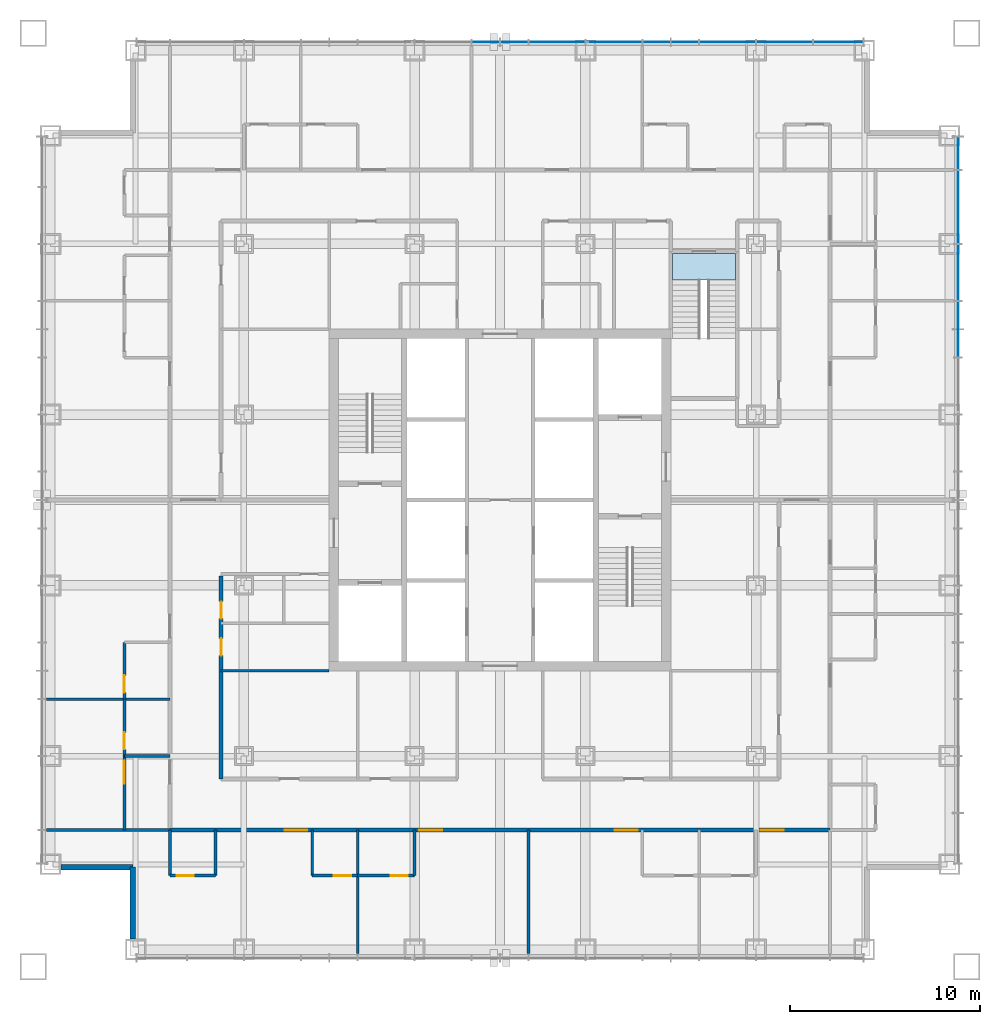
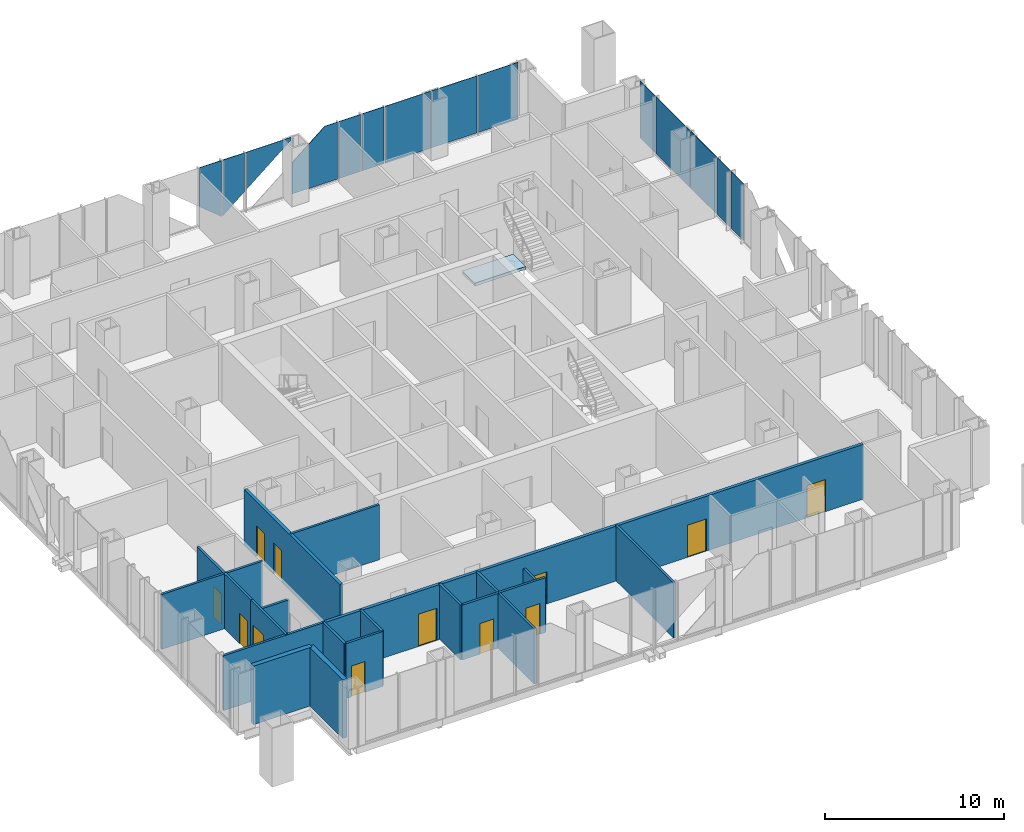
# One storey, part 8 of 17: 20 walls, 14 plates, 12 doors, 1 slab, 12 openings, 3 elements without a shape of their own.
"""IFC4 building model written with IfcOpenShell, lengths in metres."""

from ifc_helpers import new_model, si_unit, direction, frame, frame_2d, origin, origin_2d, place, context, subcontext, project, spatial, polyline, rectangle, outline, extrude, material, layer, layer_set, type_object, element, fill, aggregate, save


model = new_model("IFC4")

# Units and contexts
model_context = context("Model", 3, precision=1e-05, world=origin(), true_north=direction((0.0, 1.0)))
body_context = subcontext(model_context, "Body", "Model", "MODEL_VIEW")
ifc_project = project(units=[si_unit("LENGTHUNIT", "METRE"), si_unit("AREAUNIT", "SQUARE_METRE"), si_unit("VOLUMEUNIT", "CUBIC_METRE"), si_unit("PLANEANGLEUNIT", "RADIAN"), si_unit("MASSUNIT", "GRAM", prefix="KILO")], contexts=[model_context])

# Site, building, storey
site_placement = place(None, origin())
site = spatial("IfcSite", under=ifc_project, at=site_placement, CompositionType="ELEMENT")
building_placement = place(site_placement, origin())
building = spatial("IfcBuilding", under=site, at=building_placement, Name="Malebo Sky Hospital", CompositionType="ELEMENT")
storey_placement = place(building_placement, frame((0.0, 0.0, 120.0)))
storey = spatial("IfcBuildingStorey", under=building, at=storey_placement, Name="L28", CompositionType="ELEMENT", Elevation=120.0)

# Stair, slab
ifc_material_1 = material(Name="Concrete C40/50", Category="concrete")
stair_type = type_object("IfcStairType", Name="HALF-TURN STAIR 1400 R167", PredefinedType="HALF_TURN_STAIR", material=ifc_material_1)
stair_placement = place(storey_placement, origin())
stair = element("IfcStair", 1, at=stair_placement, inside=storey, type_object=stair_type, Name="Stair S3 L28 type ST1B", PredefinedType="HALF_TURN_STAIR")
ifc_layer_1 = layer(ifc_material_1, 0.199951171875)
ifc_layer_set_1 = layer_set([ifc_layer_1], Name="STAIR LANDING 200")
slab_type = type_object("IfcSlabType", Name="STAIR LANDING 200", PredefinedType="LANDING", material=ifc_layer_set_1)
slab_placement = place(storey_placement, frame((0.0, 0.0, -0.199951171875)))
slab = element("IfcSlab", 2, at=slab_placement, type_object=slab_type, Name="S3 landing 1", PredefinedType="LANDING", context=body_context, shape_type="SweptSolid", body=[
    extrude(outline(polyline([(69.10009765625, 73.60009765625), (72.39990234375, 73.60009765625), (72.39990234375, 75.0), (69.10009765625, 75.0), (69.10009765625, 73.60009765625)])), origin(), (0.0, 0.0, 1.0), 0.199951171875),
])
aggregate(stair, [slab])

# Curtain wall, plates
ifc_material_2 = material(Name="Anodised aluminium, natural silver", Category="aluminium")
ifc_layer_2 = layer(ifc_material_2, 0.25)
ifc_layer_set_2 = layer_set([ifc_layer_2], Name="WARD CURTAIN WALL NORTH AND SOUTH")
curtain_wall_type_1 = type_object("IfcCurtainWallType", Name="WARD CURTAIN WALL NORTH AND SOUTH", PredefinedType="NOTDEFINED", material=ifc_layer_set_2)
curtain_wall_1_placement = place(storey_placement, origin())
curtain_wall_1 = element("IfcCurtainWall", 3, at=curtain_wall_1_placement, inside=storey, type_object=curtain_wall_type_1, Name="NS curtain wall N", PredefinedType="NOTDEFINED")
ifc_material_3 = material(Name="Clear low-iron double glazing", Category="glass")
ifc_layer_3 = layer(ifc_material_3, 0.031982421875)
ifc_layer_set_3 = layer_set([ifc_layer_3], Name="VISION PANEL CLEAR 32")
plate_type = type_object("IfcPlateType", Name="VISION PANEL CLEAR 32", PredefinedType="CURTAIN_PANEL", material=ifc_layer_set_3)
plate_1_placement = place(storey_placement, frame((59.25, 86.135009765625, 0.16650390625), z_axis=(0.0, 0.0, 1.0), x_axis=(1.0, 0.0, 0.0)))
plate_1 = element("IfcPlate", 4, at=plate_1_placement, type_object=plate_type, Name="Panel 8", PredefinedType="CURTAIN_PANEL", context=body_context, shape_type="SweptSolid", body=[
    extrude(outline(polyline([(0.71240234375, 0.0), (0.71240234375, 3.823486328125), (-0.71240234375, 3.823486328125), (-0.71240234375, 1.174560546875), (0.71240234375, 0.0)])), frame((0.0, 0.01611328125, 0.0), z_axis=(0.0, -1.0, 0.0), x_axis=(1.0, 0.0, 0.0)), (0.0, 0.0, 1.0), 0.031982421875),
])
plate_2_placement = place(storey_placement, frame((60.75, 86.135009765625, 0.16650390625), z_axis=(0.0, 0.0, 1.0), x_axis=(1.0, 0.0, 0.0)))
plate_2 = element("IfcPlate", 5, at=plate_2_placement, type_object=plate_type, Name="Panel 9", PredefinedType="CURTAIN_PANEL", context=body_context, shape_type="SweptSolid", body=[
    extrude(outline(polyline([(-0.71240234375, 0.0), (0.71240234375, 1.174560546875), (0.71240234375, 3.823486328125), (-0.71240234375, 3.823486328125), (-0.71240234375, 0.0)])), frame((0.0, 0.01611328125, 0.0), z_axis=(0.0, -1.0, 0.0), x_axis=(1.0, 0.0, 0.0)), (0.0, 0.0, 1.0), 0.031982421875),
])
plate_3_placement = place(storey_placement, frame((63.0, 86.135009765625, 1.40283203125), z_axis=(0.0, 0.0, 1.0), x_axis=(1.0, 0.0, 0.0)))
plate_3 = element("IfcPlate", 6, at=plate_3_placement, type_object=plate_type, Name="Panel 10", PredefinedType="CURTAIN_PANEL", context=body_context, shape_type="SweptSolid", body=[
    extrude(outline(polyline([(-1.46240234375, 0.0), (1.46240234375, 2.410888671875), (1.46240234375, 2.587158203125), (-1.46240234375, 2.587158203125), (-1.46240234375, 0.0)])), frame((0.0, 0.01611328125, 0.0), z_axis=(0.0, -1.0, 0.0), x_axis=(1.0, 0.0, 0.0)), (0.0, 0.0, 1.0), 0.031982421875),
])
plate_4_placement = place(storey_placement, frame((66.0, 86.135009765625, 0.10009765625), z_axis=(0.0, 0.0, 1.0), x_axis=(1.0, 0.0, 0.0)))
plate_4 = element("IfcPlate", 7, at=plate_4_placement, type_object=plate_type, Name="Panel 11", PredefinedType="CURTAIN_PANEL", context=body_context, shape_type="SweptSolid", body=[
    extrude(outline(polyline([(-1.46240234375, 0.0), (1.46240234375, 0.0), (1.46240234375, 3.889892578125), (0.6435546875, 3.889892578125), (-1.46240234375, 2.154296875), (-1.46240234375, 0.0)])), frame((0.0, 0.01611328125, 0.0), z_axis=(0.0, -1.0, 0.0), x_axis=(1.0, 0.0, 0.0)), (0.0, 0.0, 1.0), 0.031982421875),
])
plate_5_placement = place(storey_placement, frame((68.25, 86.135009765625, 0.10009765625), z_axis=(0.0, 0.0, 1.0), x_axis=(1.0, 0.0, 0.0)))
plate_5 = element("IfcPlate", 8, at=plate_5_placement, type_object=plate_type, Name="Panel 12", PredefinedType="CURTAIN_PANEL", context=body_context, shape_type="SweptSolid", body=[
    extrude(rectangle(XDim=1.425048828125, YDim=0.031982421875, at=origin_2d()), origin(), (0.0, 0.0, 1.0), 3.889892578125),
])
plate_6_placement = place(storey_placement, frame((69.75, 86.135009765625, 0.10009765625), z_axis=(0.0, 0.0, 1.0), x_axis=(1.0, 0.0, 0.0)))
plate_6 = element("IfcPlate", 9, at=plate_6_placement, type_object=plate_type, Name="Panel 13", PredefinedType="CURTAIN_PANEL", context=body_context, shape_type="SweptSolid", body=[
    extrude(rectangle(XDim=1.425048828125, YDim=0.031982421875, at=origin_2d()), origin(), (0.0, 0.0, 1.0), 3.889892578125),
])
plate_7_placement = place(storey_placement, frame((72.0, 86.135009765625, 0.10009765625), z_axis=(0.0, 0.0, 1.0), x_axis=(1.0, 0.0, 0.0)))
plate_7 = element("IfcPlate", 10, at=plate_7_placement, type_object=plate_type, Name="Panel 14", PredefinedType="CURTAIN_PANEL", context=body_context, shape_type="SweptSolid", body=[
    extrude(rectangle(XDim=2.925048828125, YDim=0.031982421875, at=origin_2d()), origin(), (0.0, 0.0, 1.0), 3.889892578125),
])
plate_8_placement = place(storey_placement, frame((75.0, 86.135009765625, 0.10009765625), z_axis=(0.0, 0.0, 1.0), x_axis=(1.0, 0.0, 0.0)))
plate_8 = element("IfcPlate", 11, at=plate_8_placement, type_object=plate_type, Name="Panel 15", PredefinedType="CURTAIN_PANEL", context=body_context, shape_type="SweptSolid", body=[
    extrude(rectangle(XDim=2.925048828125, YDim=0.031982421875, at=origin_2d()), origin(), (0.0, 0.0, 1.0), 3.889892578125),
])
plate_9_placement = place(storey_placement, frame((77.831298828125, 86.135009765625, 0.10009765625), z_axis=(0.0, 0.0, 1.0), x_axis=(1.0, 0.0, 0.0)))
plate_9 = element("IfcPlate", 12, at=plate_9_placement, type_object=plate_type, Name="Panel 16", PredefinedType="CURTAIN_PANEL", context=body_context, shape_type="SweptSolid", body=[
    extrude(rectangle(XDim=2.58740234375, YDim=0.031982421875, at=origin_2d()), origin(), (0.0, 0.0, 1.0), 3.889892578125),
])
aggregate(curtain_wall_1, [plate_1, plate_2, plate_3, plate_4, plate_5, plate_6, plate_7, plate_8, plate_9])

ifc_layer_4 = layer(ifc_material_2, 0.25)
ifc_layer_set_4 = layer_set([ifc_layer_4], Name="WARD CURTAIN WALL EAST AND WEST")
curtain_wall_type_2 = type_object("IfcCurtainWallType", Name="WARD CURTAIN WALL EAST AND WEST", PredefinedType="NOTDEFINED", material=ifc_layer_set_4)
curtain_wall_2_placement = place(storey_placement, origin())
curtain_wall_2 = element("IfcCurtainWall", 13, at=curtain_wall_2_placement, inside=storey, type_object=curtain_wall_type_2, Name="EW curtain wall E", PredefinedType="NOTDEFINED")
plate_10_placement = place(storey_placement, frame((84.135009765625, 80.28125, 0.10009765625), z_axis=(0.0, 0.0, 1.0), x_axis=(0.0, -1.0, 0.0)))
plate_10 = element("IfcPlate", 14, at=plate_10_placement, type_object=plate_type, Name="Panel 1", PredefinedType="CURTAIN_PANEL", context=body_context, shape_type="SweptSolid", body=[
    extrude(rectangle(XDim=1.6875, YDim=0.031982421875, at=origin_2d()), origin(), (0.0, 0.0, 1.0), 3.889892578125),
])
plate_11_placement = place(storey_placement, frame((84.135009765625, 77.449951171875, 0.10009765625), z_axis=(0.0, 0.0, 1.0), x_axis=(0.0, -1.0, 0.0)))
plate_11 = element("IfcPlate", 15, at=plate_11_placement, type_object=plate_type, Name="Panel 2", PredefinedType="CURTAIN_PANEL", context=body_context, shape_type="SweptSolid", body=[
    extrude(rectangle(XDim=3.824951171875, YDim=0.031982421875, at=origin_2d()), origin(), (0.0, 0.0, 1.0), 3.889892578125),
])
plate_12_placement = place(storey_placement, frame((84.135009765625, 74.0, 0.10009765625), z_axis=(0.0, 0.0, 1.0), x_axis=(0.0, -1.0, 0.0)))
plate_12 = element("IfcPlate", 16, at=plate_12_placement, type_object=plate_type, Name="Panel 3", PredefinedType="CURTAIN_PANEL", context=body_context, shape_type="SweptSolid", body=[
    extrude(rectangle(XDim=2.925048828125, YDim=0.031982421875, at=origin_2d()), origin(), (0.0, 0.0, 1.0), 3.889892578125),
])
plate_13_placement = place(storey_placement, frame((84.135009765625, 71.75, 0.10009765625), z_axis=(0.0, 0.0, 1.0), x_axis=(0.0, -1.0, 0.0)))
plate_13 = element("IfcPlate", 17, at=plate_13_placement, type_object=plate_type, Name="Panel 4", PredefinedType="CURTAIN_PANEL", context=body_context, shape_type="SweptSolid", body=[
    extrude(rectangle(XDim=1.425048828125, YDim=0.031982421875, at=origin_2d()), origin(), (0.0, 0.0, 1.0), 3.889892578125),
])
plate_14_placement = place(storey_placement, frame((84.135009765625, 70.25, 0.10009765625), z_axis=(0.0, 0.0, 1.0), x_axis=(0.0, -1.0, 0.0)))
plate_14 = element("IfcPlate", 18, at=plate_14_placement, type_object=plate_type, Name="Panel 5", PredefinedType="CURTAIN_PANEL", context=body_context, shape_type="SweptSolid", body=[
    extrude(rectangle(XDim=1.425048828125, YDim=0.031982421875, at=origin_2d()), origin(), (0.0, 0.0, 1.0), 3.889892578125),
])
aggregate(curtain_wall_2, [plate_10, plate_11, plate_12, plate_13, plate_14])

# Wall, openings, doors
ifc_material_4 = material(Name="Gypsum board on steel studs", Category="steel")
ifc_layer_5 = layer(ifc_material_4, 0.199951171875)
ifc_layer_set_5 = layer_set([ifc_layer_5], Name="CORRIDOR WALL 200")
wall_type_1 = type_object("IfcWallType", Name="CORRIDOR WALL 200", PredefinedType="PARTITIONING", material=ifc_layer_set_5)
wall_1_placement = place(storey_placement, frame((45.300048828125, 47.300048828125, 0.0), z_axis=(0.0, 0.0, 1.0), x_axis=(0.0, 1.0, 0.0)))
wall_1 = element("IfcWall", 19, at=wall_1_placement, inside=storey, type_object=wall_type_1, Name="Corridor Wall 200 WCI1", PredefinedType="PARTITIONING", context=body_context, shape_type="SweptSolid", body=[
    extrude(rectangle(XDim=10.699951171875, YDim=0.199951171875, at=frame_2d((5.35009765625, 0.0))), origin(), (0.0, 0.0, 1.0), 3.75),
])
opening_1_placement = place(wall_1_placement, frame((6.5, 0.0, 0.0)))
opening_1 = element("IfcOpeningElement", 20, at=opening_1_placement, cuts=wall_1, Name="Opening D04", PredefinedType="OPENING", context=body_context, shape_type="SweptSolid", body=[
    extrude(rectangle(XDim=0.89990234375, YDim=2.10009765625, at=frame_2d((0.449951171875, 1.050048828125))), frame((0.0, 0.10986328125, 0.0), z_axis=(0.0, -1.0, 0.0), x_axis=(1.0, 0.0, 0.0)), (0.0, 0.0, 1.0), 0.219970703125),
])
opening_2_placement = place(wall_1_placement, frame((8.449951171875, 0.0, 0.0)))
opening_2 = element("IfcOpeningElement", 21, at=opening_2_placement, cuts=wall_1, Name="Opening D04", PredefinedType="OPENING", context=body_context, shape_type="SweptSolid", body=[
    extrude(rectangle(XDim=0.89990234375, YDim=2.10009765625, at=frame_2d((0.449951171875, 1.050048828125))), frame((0.0, 0.10986328125, 0.0), z_axis=(0.0, -1.0, 0.0), x_axis=(1.0, 0.0, 0.0)), (0.0, 0.0, 1.0), 0.219970703125),
])
ifc_material_5 = material(Name="Hardwood-faced door leaf in steel frame", Category="steel")
door_type_1 = type_object("IfcDoorType", Name="ROOM DOOR 900", OperationType="SINGLE_SWING_LEFT", PredefinedType="DOOR", material=ifc_material_5)
door_1_placement = place(opening_1_placement, origin())
door_1 = element("IfcDoor", 22, at=door_1_placement, inside=storey, type_object=door_type_1, Name="Dirty utility room door", OperationType="SINGLE_SWING_LEFT", OverallHeight=2.10009765625, OverallWidth=0.89990234375, PredefinedType="DOOR", context=body_context, shape_type="SweptSolid", body=[
    extrude(rectangle(XDim=0.89990234375, YDim=2.10009765625, at=frame_2d((0.449951171875, 1.050048828125))), frame((0.0, 0.02490234375, 0.0), z_axis=(0.0, -1.0, 0.0), x_axis=(1.0, 0.0, 0.0)), (0.0, 0.0, 1.0), 0.050048828125),
])
fill(opening_1, door_1)
door_2_placement = place(opening_2_placement, origin())
door_2 = element("IfcDoor", 23, at=door_2_placement, inside=storey, type_object=door_type_1, Name="Linen store door", OperationType="SINGLE_SWING_LEFT", OverallHeight=2.10009765625, OverallWidth=0.89990234375, PredefinedType="DOOR", context=body_context, shape_type="SweptSolid", body=[
    extrude(rectangle(XDim=0.89990234375, YDim=2.10009765625, at=frame_2d((0.449951171875, 1.050048828125))), frame((0.0, 0.02490234375, 0.0), z_axis=(0.0, -1.0, 0.0), x_axis=(1.0, 0.0, 0.0)), (0.0, 0.0, 1.0), 0.050048828125),
])
fill(opening_2, door_2)

wall_2_placement = place(storey_placement, frame((77.39990234375, 44.60009765625, 0.0), z_axis=(0.0, 0.0, 1.0), x_axis=(-1.0, 0.0, 0.0)))
wall_2 = element("IfcWall", 24, at=wall_2_placement, inside=storey, type_object=wall_type_1, Name="Corridor Wall 200 SCO", PredefinedType="PARTITIONING", context=body_context, shape_type="SweptSolid", body=[
    extrude(rectangle(XDim=34.7998046875, YDim=0.199951171875, at=frame_2d((17.39990234375, 0.0))), origin(), (0.0, 0.0, 1.0), 3.75),
])
opening_3_placement = place(wall_2_placement, frame((2.449951171875, 0.0, 0.0)))
opening_3 = element("IfcOpeningElement", 25, at=opening_3_placement, cuts=wall_2, Name="Opening D01", PredefinedType="OPENING", context=body_context, shape_type="SweptSolid", body=[
    extrude(rectangle(XDim=1.199951171875, YDim=2.199951171875, at=frame_2d((0.60009765625, 1.10009765625))), frame((0.0, 0.10986328125, 0.0), z_axis=(0.0, -1.0, 0.0), x_axis=(1.0, 0.0, 0.0)), (0.0, 0.0, 1.0), 0.219970703125),
])
opening_4_placement = place(wall_2_placement, frame((10.14990234375, 0.0, 0.0)))
opening_4 = element("IfcOpeningElement", 26, at=opening_4_placement, cuts=wall_2, Name="Opening D01", PredefinedType="OPENING", context=body_context, shape_type="SweptSolid", body=[
    extrude(rectangle(XDim=1.199951171875, YDim=2.199951171875, at=frame_2d((0.60009765625, 1.10009765625))), frame((0.0, 0.10986328125, 0.0), z_axis=(0.0, -1.0, 0.0), x_axis=(1.0, 0.0, 0.0)), (0.0, 0.0, 1.0), 0.219970703125),
])
opening_5_placement = place(wall_2_placement, frame((20.449951171875, 0.0, 0.0)))
opening_5 = element("IfcOpeningElement", 27, at=opening_5_placement, cuts=wall_2, Name="Opening D01", PredefinedType="OPENING", context=body_context, shape_type="SweptSolid", body=[
    extrude(rectangle(XDim=1.199951171875, YDim=2.199951171875, at=frame_2d((0.60009765625, 1.10009765625))), frame((0.0, 0.10986328125, 0.0), z_axis=(0.0, -1.0, 0.0), x_axis=(1.0, 0.0, 0.0)), (0.0, 0.0, 1.0), 0.219970703125),
])
opening_6_placement = place(wall_2_placement, frame((27.550048828125, 0.0, 0.0)))
opening_6 = element("IfcOpeningElement", 28, at=opening_6_placement, cuts=wall_2, Name="Opening D01", PredefinedType="OPENING", context=body_context, shape_type="SweptSolid", body=[
    extrude(rectangle(XDim=1.199951171875, YDim=2.199951171875, at=frame_2d((0.60009765625, 1.10009765625))), frame((0.0, 0.10986328125, 0.0), z_axis=(0.0, -1.0, 0.0), x_axis=(1.0, 0.0, 0.0)), (0.0, 0.0, 1.0), 0.219970703125),
])
door_type_2 = type_object("IfcDoorType", Name="BED DOOR 1200", OperationType="SINGLE_SWING_LEFT", PredefinedType="DOOR", material=ifc_material_5)
door_3_placement = place(opening_3_placement, origin())
door_3 = element("IfcDoor", 29, at=door_3_placement, inside=storey, type_object=door_type_2, Name="Two-bed room door", OperationType="SINGLE_SWING_RIGHT", OverallHeight=2.199951171875, OverallWidth=1.199951171875, PredefinedType="DOOR", context=body_context, shape_type="SweptSolid", body=[
    extrude(rectangle(XDim=1.199951171875, YDim=2.199951171875, at=frame_2d((0.60009765625, 1.10009765625))), frame((0.0, 0.02490234375, 0.0), z_axis=(0.0, -1.0, 0.0), x_axis=(1.0, 0.0, 0.0)), (0.0, 0.0, 1.0), 0.050048828125),
])
fill(opening_3, door_3)
door_4_placement = place(opening_4_placement, origin())
door_4 = element("IfcDoor", 30, at=door_4_placement, inside=storey, type_object=door_type_2, Name="Two-bed room door", OperationType="SINGLE_SWING_LEFT", OverallHeight=2.199951171875, OverallWidth=1.199951171875, PredefinedType="DOOR", context=body_context, shape_type="SweptSolid", body=[
    extrude(rectangle(XDim=1.199951171875, YDim=2.199951171875, at=frame_2d((0.60009765625, 1.10009765625))), frame((0.0, 0.02490234375, 0.0), z_axis=(0.0, -1.0, 0.0), x_axis=(1.0, 0.0, 0.0)), (0.0, 0.0, 1.0), 0.050048828125),
])
fill(opening_4, door_4)
door_5_placement = place(opening_5_placement, origin())
door_5 = element("IfcDoor", 31, at=door_5_placement, inside=storey, type_object=door_type_2, Name="Two-bed room door", OperationType="SINGLE_SWING_RIGHT", OverallHeight=2.199951171875, OverallWidth=1.199951171875, PredefinedType="DOOR", context=body_context, shape_type="SweptSolid", body=[
    extrude(rectangle(XDim=1.199951171875, YDim=2.199951171875, at=frame_2d((0.60009765625, 1.10009765625))), frame((0.0, 0.02490234375, 0.0), z_axis=(0.0, -1.0, 0.0), x_axis=(1.0, 0.0, 0.0)), (0.0, 0.0, 1.0), 0.050048828125),
])
fill(opening_5, door_5)
door_6_placement = place(opening_6_placement, origin())
door_6 = element("IfcDoor", 32, at=door_6_placement, inside=storey, type_object=door_type_2, Name="Four-bed bay door", OperationType="SINGLE_SWING_LEFT", OverallHeight=2.199951171875, OverallWidth=1.199951171875, PredefinedType="DOOR", context=body_context, shape_type="SweptSolid", body=[
    extrude(rectangle(XDim=1.199951171875, YDim=2.199951171875, at=frame_2d((0.60009765625, 1.10009765625))), frame((0.0, 0.02490234375, 0.0), z_axis=(0.0, -1.0, 0.0), x_axis=(1.0, 0.0, 0.0)), (0.0, 0.0, 1.0), 0.050048828125),
])
fill(opening_6, door_6)

# Walls
ifc_material_6 = material(Name="Anodised aluminium rainscreen on steel framing", Category="steel")
ifc_layer_6 = layer(ifc_material_6, 0.300048828125)
ifc_layer_set_6 = layer_set([ifc_layer_6], Name="NOTCH RAINSCREEN WALL 300")
wall_type_2 = type_object("IfcWallType", Name="NOTCH RAINSCREEN WALL 300", PredefinedType="ELEMENTEDWALL", material=ifc_layer_set_6)
for number, where, z_axis, x_axis, name in (
    (33, (40.64990234375, 38.85009765625, 0.0), (0.0, 0.0, 1.0), (0.0, 1.0, 0.0), "Notch rainscreen wall S1 L28"),
    (34, (40.64990234375, 42.64990234375, 0.0), (0.0, 0.0, 1.0), (-1.0, 0.0, 0.0), "Notch rainscreen wall S2 L28"),
):
    element("IfcWall", number, at=place(storey_placement, frame(where, z_axis=z_axis, x_axis=x_axis)), inside=storey, type_object=wall_type_2, Name=name, PredefinedType="ELEMENTEDWALL", context=body_context, shape_type="SweptSolid", body=[
        extrude(rectangle(XDim=3.7998046875, YDim=0.300048828125, at=frame_2d((1.89990234375, 0.0))), origin(), (0.0, 0.0, 1.0), 4.0),
    ])
ifc_layer_7 = layer(ifc_material_4, 0.14990234375)
ifc_layer_set_7 = layer_set([ifc_layer_7], Name="PARTITION 150")
wall_type_3 = type_object("IfcWallType", Name="PARTITION 150", PredefinedType="PARTITIONING", material=ifc_layer_set_7)
for number, where, z_axis, x_axis, name in (
    (35, (42.60009765625, 51.5, 0.0), (0.0, 0.0, 1.0), (-1.0, 0.0, 0.0), "Partition 150 WP-10.5"),
    (36, (42.60009765625, 44.60009765625, 0.0), (0.0, 0.0, 1.0), (-1.0, 0.0, 0.0), "Partition 150 WP0"),
):
    element("IfcWall", number, at=place(storey_placement, frame(where, z_axis=z_axis, x_axis=x_axis)), inside=storey, type_object=wall_type_3, Name=name, PredefinedType="PARTITIONING", context=body_context, shape_type="SweptSolid", body=[
        extrude(rectangle(XDim=6.510009765625, YDim=0.14990234375, at=frame_2d((3.2548828125, 0.0))), origin(), (0.0, 0.0, 1.0), 3.75),
    ])

# Wall, opening, door
wall_3_placement = place(storey_placement, frame((40.199951171875, 48.5, 0.0), z_axis=(0.0, 0.0, 1.0), x_axis=(0.0, 1.0, 0.0)))
wall_3 = element("IfcWall", 37, at=wall_3_placement, inside=storey, type_object=wall_type_3, Name="Partition 150 WE0F", PredefinedType="PARTITIONING", context=body_context, shape_type="SweptSolid", body=[
    extrude(rectangle(XDim=3.0, YDim=0.14990234375, at=frame_2d((1.5, 0.0))), origin(), (0.0, 0.0, 1.0), 3.75),
])
opening_7_placement = place(wall_3_placement, frame((0.35009765625, 0.0, 0.0)))
opening_7 = element("IfcOpeningElement", 38, at=opening_7_placement, cuts=wall_3, Name="Opening D02", PredefinedType="OPENING", context=body_context, shape_type="SweptSolid", body=[
    extrude(rectangle(XDim=0.89990234375, YDim=2.10009765625, at=frame_2d((0.449951171875, 1.050048828125))), frame((0.0, 0.0849609375, 0.0), z_axis=(0.0, -1.0, 0.0), x_axis=(1.0, 0.0, 0.0)), (0.0, 0.0, 1.0), 0.169921875),
])
door_type_3 = type_object("IfcDoorType", Name="EN-SUITE DOOR 900", OperationType="SINGLE_SWING_LEFT", PredefinedType="DOOR", material=ifc_material_5)
door_7_placement = place(opening_7_placement, origin())
door_7 = element("IfcDoor", 39, at=door_7_placement, inside=storey, type_object=door_type_3, Name="En-suite door", OperationType="SINGLE_SWING_LEFT", OverallHeight=2.10009765625, OverallWidth=0.89990234375, PredefinedType="DOOR", context=body_context, shape_type="SweptSolid", body=[
    extrude(rectangle(XDim=0.89990234375, YDim=2.10009765625, at=frame_2d((0.449951171875, 1.050048828125))), frame((0.0, 0.02490234375, 0.0), z_axis=(0.0, -1.0, 0.0), x_axis=(1.0, 0.0, 0.0)), (0.0, 0.0, 1.0), 0.050048828125),
])
fill(opening_7, door_7)

# Wall
wall_4_placement = place(storey_placement, frame((42.60009765625, 48.5, 0.0), z_axis=(0.0, 0.0, 1.0), x_axis=(-1.0, 0.0, 0.0)))
element("IfcWall", 40, at=wall_4_placement, inside=storey, type_object=wall_type_3, Name="Partition 150 WE0S", PredefinedType="PARTITIONING", context=body_context, shape_type="SweptSolid", body=[
    extrude(rectangle(XDim=2.400146484375, YDim=0.14990234375, at=frame_2d((1.2001953125, 0.0))), origin(), (0.0, 0.0, 1.0), 2.949951171875),
])

# Wall, opening, door
wall_5_placement = place(storey_placement, frame((40.199951171875, 51.5, 0.0), z_axis=(0.0, 0.0, 1.0), x_axis=(0.0, 1.0, 0.0)))
wall_5 = element("IfcWall", 41, at=wall_5_placement, inside=storey, type_object=wall_type_3, Name="Partition 150 WE1F", PredefinedType="PARTITIONING", context=body_context, shape_type="SweptSolid", body=[
    extrude(rectangle(XDim=3.0, YDim=0.14990234375, at=frame_2d((1.5, 0.0))), origin(), (0.0, 0.0, 1.0), 3.75),
])
opening_8_placement = place(wall_5_placement, frame((0.35009765625, 0.0, 0.0)))
opening_8 = element("IfcOpeningElement", 42, at=opening_8_placement, cuts=wall_5, Name="Opening D02", PredefinedType="OPENING", context=body_context, shape_type="SweptSolid", body=[
    extrude(rectangle(XDim=0.89990234375, YDim=2.10009765625, at=frame_2d((0.449951171875, 1.050048828125))), frame((0.0, 0.0849609375, 0.0), z_axis=(0.0, -1.0, 0.0), x_axis=(1.0, 0.0, 0.0)), (0.0, 0.0, 1.0), 0.169921875),
])
door_8_placement = place(opening_8_placement, origin())
door_8 = element("IfcDoor", 43, at=door_8_placement, inside=storey, type_object=door_type_3, Name="En-suite door", OperationType="SINGLE_SWING_LEFT", OverallHeight=2.10009765625, OverallWidth=0.89990234375, PredefinedType="DOOR", context=body_context, shape_type="SweptSolid", body=[
    extrude(rectangle(XDim=0.89990234375, YDim=2.10009765625, at=frame_2d((0.449951171875, 1.050048828125))), frame((0.0, 0.02490234375, 0.0), z_axis=(0.0, -1.0, 0.0), x_axis=(1.0, 0.0, 0.0)), (0.0, 0.0, 1.0), 0.050048828125),
])
fill(opening_8, door_8)

# Walls
wall_6_placement = place(storey_placement, frame((51.0, 53.0, 0.0), z_axis=(0.0, 0.0, 1.0), x_axis=(-1.0, 0.0, 0.0)))
element("IfcWall", 44, at=wall_6_placement, inside=storey, type_object=wall_type_3, Name="Partition 150 WSP0", PredefinedType="PARTITIONING", context=body_context, shape_type="SweptSolid", body=[
    extrude(rectangle(XDim=5.699951171875, YDim=0.14990234375, at=frame_2d((2.85009765625, 0.0))), origin(), (0.0, 0.0, 1.0), 3.75),
])
for number, where, z_axis, x_axis, name in (
    (45, (61.5, 44.60009765625, 0.0), (0.0, 0.0, 1.0), (0.0, -1.0, 0.0), "Partition 150 SP-1.5"),
    (46, (52.5, 44.60009765625, 0.0), (0.0, 0.0, 1.0), (0.0, -1.0, 0.0), "Partition 150 SP+7.5"),
):
    element("IfcWall", number, at=place(storey_placement, frame(where, z_axis=z_axis, x_axis=x_axis)), inside=storey, type_object=wall_type_3, Name=name, PredefinedType="PARTITIONING", context=body_context, shape_type="SweptSolid", body=[
        extrude(rectangle(XDim=6.510009765625, YDim=0.14990234375, at=frame_2d((3.2548828125, 0.0))), origin(), (0.0, 0.0, 1.0), 3.75),
    ])

# Wall, opening, door
wall_7_placement = place(storey_placement, frame((55.5, 42.199951171875, 0.0), z_axis=(0.0, 0.0, 1.0), x_axis=(-1.0, 0.0, 0.0)))
wall_7 = element("IfcWall", 47, at=wall_7_placement, inside=storey, type_object=wall_type_3, Name="Partition 150 SE2F", PredefinedType="PARTITIONING", context=body_context, shape_type="SweptSolid", body=[
    extrude(rectangle(XDim=3.0, YDim=0.14990234375, at=frame_2d((1.5, 0.0))), origin(), (0.0, 0.0, 1.0), 3.75),
])
opening_9_placement = place(wall_7_placement, frame((0.35009765625, 0.0, 0.0)))
opening_9 = element("IfcOpeningElement", 48, at=opening_9_placement, cuts=wall_7, Name="Opening D02", PredefinedType="OPENING", context=body_context, shape_type="SweptSolid", body=[
    extrude(rectangle(XDim=0.89990234375, YDim=2.10009765625, at=frame_2d((0.449951171875, 1.050048828125))), frame((0.0, 0.0849609375, 0.0), z_axis=(0.0, -1.0, 0.0), x_axis=(1.0, 0.0, 0.0)), (0.0, 0.0, 1.0), 0.169921875),
])
door_9_placement = place(opening_9_placement, origin())
door_9 = element("IfcDoor", 49, at=door_9_placement, inside=storey, type_object=door_type_3, Name="En-suite door", OperationType="SINGLE_SWING_LEFT", OverallHeight=2.10009765625, OverallWidth=0.89990234375, PredefinedType="DOOR", context=body_context, shape_type="SweptSolid", body=[
    extrude(rectangle(XDim=0.89990234375, YDim=2.10009765625, at=frame_2d((0.449951171875, 1.050048828125))), frame((0.0, 0.02490234375, 0.0), z_axis=(0.0, -1.0, 0.0), x_axis=(1.0, 0.0, 0.0)), (0.0, 0.0, 1.0), 0.050048828125),
])
fill(opening_9, door_9)

# Wall
wall_8_placement = place(storey_placement, frame((55.5, 44.60009765625, 0.0), z_axis=(0.0, 0.0, 1.0), x_axis=(0.0, -1.0, 0.0)))
element("IfcWall", 50, at=wall_8_placement, inside=storey, type_object=wall_type_3, Name="Partition 150 SE2S", PredefinedType="PARTITIONING", context=body_context, shape_type="SweptSolid", body=[
    extrude(rectangle(XDim=2.400146484375, YDim=0.14990234375, at=frame_2d((1.2001953125, 0.0))), origin(), (0.0, 0.0, 1.0), 2.949951171875),
])

# Wall, opening, door
wall_9_placement = place(storey_placement, frame((52.5, 42.199951171875, 0.0), z_axis=(0.0, 0.0, 1.0), x_axis=(-1.0, 0.0, 0.0)))
wall_9 = element("IfcWall", 51, at=wall_9_placement, inside=storey, type_object=wall_type_3, Name="Partition 150 SE3F", PredefinedType="PARTITIONING", context=body_context, shape_type="SweptSolid", body=[
    extrude(rectangle(XDim=2.39990234375, YDim=0.14990234375, at=frame_2d((1.199951171875, 0.0))), origin(), (0.0, 0.0, 1.0), 3.75),
])
opening_10_placement = place(wall_9_placement, frame((0.35009765625, 0.0, 0.0)))
opening_10 = element("IfcOpeningElement", 52, at=opening_10_placement, cuts=wall_9, Name="Opening D02", PredefinedType="OPENING", context=body_context, shape_type="SweptSolid", body=[
    extrude(rectangle(XDim=0.89990234375, YDim=2.10009765625, at=frame_2d((0.449951171875, 1.050048828125))), frame((0.0, 0.0849609375, 0.0), z_axis=(0.0, -1.0, 0.0), x_axis=(1.0, 0.0, 0.0)), (0.0, 0.0, 1.0), 0.169921875),
])
door_10_placement = place(opening_10_placement, origin())
door_10 = element("IfcDoor", 53, at=door_10_placement, inside=storey, type_object=door_type_3, Name="En-suite door", OperationType="SINGLE_SWING_LEFT", OverallHeight=2.10009765625, OverallWidth=0.89990234375, PredefinedType="DOOR", context=body_context, shape_type="SweptSolid", body=[
    extrude(rectangle(XDim=0.89990234375, YDim=2.10009765625, at=frame_2d((0.449951171875, 1.050048828125))), frame((0.0, 0.02490234375, 0.0), z_axis=(0.0, -1.0, 0.0), x_axis=(1.0, 0.0, 0.0)), (0.0, 0.0, 1.0), 0.050048828125),
])
fill(opening_10, door_10)

# Wall
wall_10_placement = place(storey_placement, frame((50.10009765625, 44.60009765625, 0.0), z_axis=(0.0, 0.0, 1.0), x_axis=(0.0, -1.0, 0.0)))
element("IfcWall", 54, at=wall_10_placement, inside=storey, type_object=wall_type_3, Name="Partition 150 SE3S", PredefinedType="PARTITIONING", context=body_context, shape_type="SweptSolid", body=[
    extrude(rectangle(XDim=2.400146484375, YDim=0.14990234375, at=frame_2d((1.2001953125, 0.0))), origin(), (0.0, 0.0, 1.0), 3.75),
])

# Wall, opening, door
wall_11_placement = place(storey_placement, frame((45.0, 42.199951171875, 0.0), z_axis=(0.0, 0.0, 1.0), x_axis=(-1.0, 0.0, 0.0)))
wall_11 = element("IfcWall", 55, at=wall_11_placement, inside=storey, type_object=wall_type_3, Name="Partition 150 SG3F", PredefinedType="PARTITIONING", context=body_context, shape_type="SweptSolid", body=[
    extrude(rectangle(XDim=2.39990234375, YDim=0.14990234375, at=frame_2d((1.199951171875, 0.0))), origin(), (0.0, 0.0, 1.0), 3.75),
])
opening_11_placement = place(wall_11_placement, frame((1.14990234375, 0.0, 0.0)))
opening_11 = element("IfcOpeningElement", 56, at=opening_11_placement, cuts=wall_11, Name="Opening D02", PredefinedType="OPENING", context=body_context, shape_type="SweptSolid", body=[
    extrude(rectangle(XDim=0.89990234375, YDim=2.10009765625, at=frame_2d((0.449951171875, 1.050048828125))), frame((0.0, 0.0849609375, 0.0), z_axis=(0.0, -1.0, 0.0), x_axis=(1.0, 0.0, 0.0)), (0.0, 0.0, 1.0), 0.169921875),
])
door_11_placement = place(opening_11_placement, origin())
door_11 = element("IfcDoor", 57, at=door_11_placement, inside=storey, type_object=door_type_3, Name="En-suite door", OperationType="SINGLE_SWING_RIGHT", OverallHeight=2.10009765625, OverallWidth=0.89990234375, PredefinedType="DOOR", context=body_context, shape_type="SweptSolid", body=[
    extrude(rectangle(XDim=0.89990234375, YDim=2.10009765625, at=frame_2d((0.449951171875, 1.050048828125))), frame((0.0, 0.02490234375, 0.0), z_axis=(0.0, -1.0, 0.0), x_axis=(1.0, 0.0, 0.0)), (0.0, 0.0, 1.0), 0.050048828125),
])
fill(opening_11, door_11)

# Walls
for number, where, z_axis, x_axis, name in (
    (58, (45.0, 44.60009765625, 0.0), (0.0, 0.0, 1.0), (0.0, -1.0, 0.0), "Partition 150 SG3S"),
    (59, (42.60009765625, 44.60009765625, 0.0), (0.0, 0.0, 1.0), (0.0, -1.0, 0.0), "Partition 150 SEZ"),
):
    element("IfcWall", number, at=place(storey_placement, frame(where, z_axis=z_axis, x_axis=x_axis)), inside=storey, type_object=wall_type_3, Name=name, PredefinedType="PARTITIONING", context=body_context, shape_type="SweptSolid", body=[
        extrude(rectangle(XDim=2.400146484375, YDim=0.14990234375, at=frame_2d((1.2001953125, 0.0))), origin(), (0.0, 0.0, 1.0), 3.75),
    ])

# Wall, opening, door
ifc_material_7 = material(Name="Sealed gypsum board on steel studs, taped to the slab", Category="steel")
ifc_layer_8 = layer(ifc_material_7, 0.14990234375)
ifc_layer_set_8 = layer_set([ifc_layer_8], Name="SEALED ISOLATION PARTITION 150")
wall_type_4 = type_object("IfcWallType", Name="SEALED ISOLATION PARTITION 150", PredefinedType="PARTITIONING", material=ifc_layer_set_8)
wall_12_placement = place(storey_placement, frame((40.199951171875, 44.60009765625, 0.0), z_axis=(0.0, 0.0, 1.0), x_axis=(0.0, 1.0, 0.0)))
wall_12 = element("IfcWall", 60, at=wall_12_placement, inside=storey, type_object=wall_type_4, Name="Sealed Isolation Partition 150 WA0F", PredefinedType="PARTITIONING", context=body_context, shape_type="SweptSolid", body=[
    extrude(rectangle(XDim=3.89990234375, YDim=0.14990234375, at=frame_2d((1.949951171875, 0.0))), origin(), (0.0, 0.0, 1.0), 3.75),
])
opening_12_placement = place(wall_12_placement, frame((2.449951171875, 0.0, 0.0)))
opening_12 = element("IfcOpeningElement", 61, at=opening_12_placement, cuts=wall_12, Name="Opening D19", PredefinedType="OPENING", context=body_context, shape_type="SweptSolid", body=[
    extrude(rectangle(XDim=1.199951171875, YDim=2.199951171875, at=frame_2d((0.60009765625, 1.10009765625))), frame((0.0, 0.0849609375, 0.0), z_axis=(0.0, -1.0, 0.0), x_axis=(1.0, 0.0, 0.0)), (0.0, 0.0, 1.0), 0.169921875),
])
ifc_material_8 = material(Name="Hardwood-faced door leaf with perimeter seals in steel frame", Category="steel")
door_type_4 = type_object("IfcDoorType", Name="SEALED ISOLATION ROOM DOOR 1200", OperationType="SINGLE_SWING_LEFT", PredefinedType="DOOR", material=ifc_material_8)
door_12_placement = place(opening_12_placement, origin())
door_12 = element("IfcDoor", 62, at=door_12_placement, inside=storey, type_object=door_type_4, Name="Isolation room door", OperationType="SINGLE_SWING_RIGHT", OverallHeight=2.199951171875, OverallWidth=1.199951171875, PredefinedType="DOOR", context=body_context, shape_type="SweptSolid", body=[
    extrude(rectangle(XDim=1.199951171875, YDim=2.199951171875, at=frame_2d((0.60009765625, 1.10009765625))), frame((0.0, 0.02490234375, 0.0), z_axis=(0.0, -1.0, 0.0), x_axis=(1.0, 0.0, 0.0)), (0.0, 0.0, 1.0), 0.050048828125),
])
fill(opening_12, door_12)

save(model, "model.ifc")
